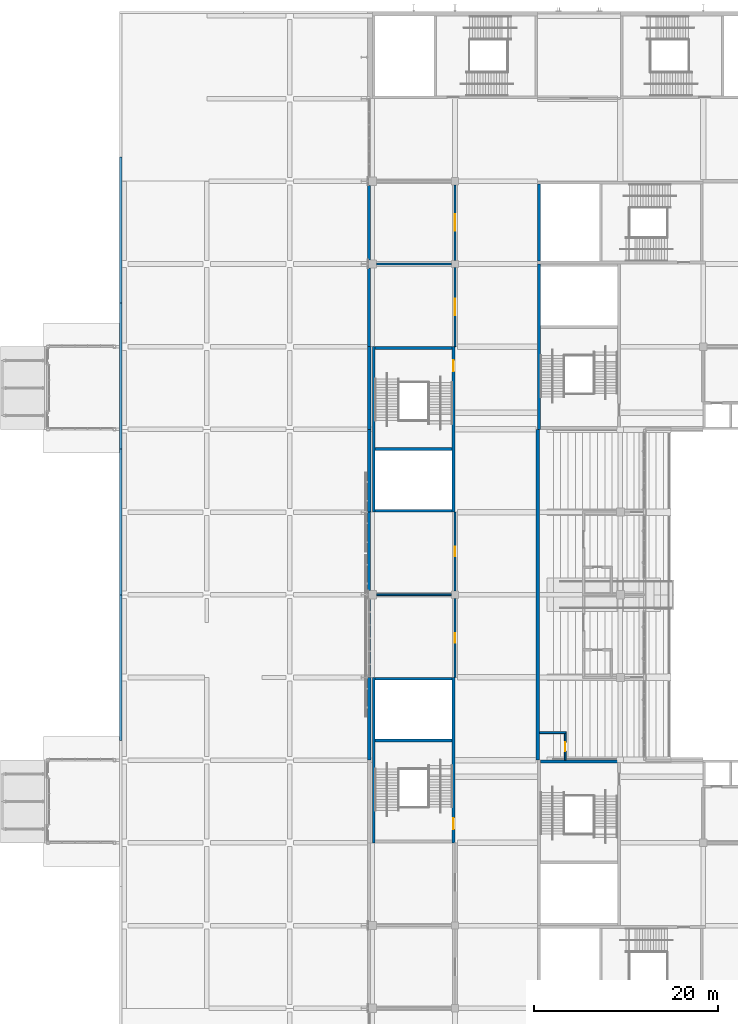
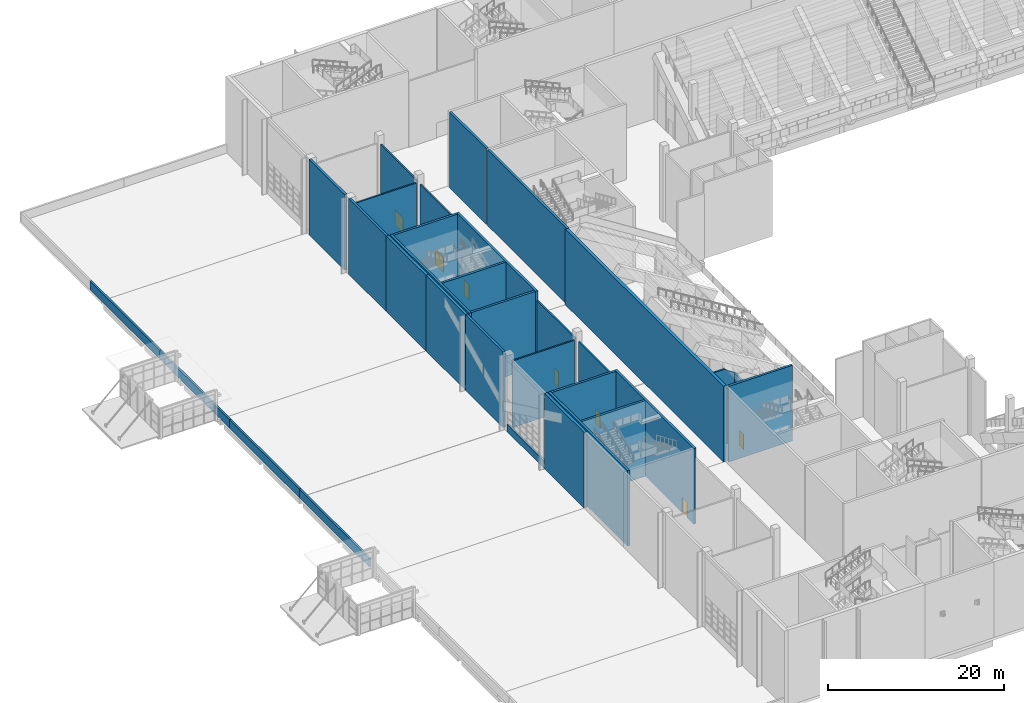
# One storey, part 83 of 182: 32 walls, 7 doors, 7 openings.
"""IFC4 building model written with IfcOpenShell, lengths in metres."""

import ifcopenshell
import ifcopenshell.guid

model = None  # the IFC model being written
_history = None  # IfcOwnerHistory: only IFC2X3 demands one
_inside = {}  # id of a spatial element -> (the spatial element, [elements in it])
_under = {}  # id of a project, library or spatial element -> (it, [spatial elements below it])
_declared = {}  # id of a project -> (the project, [libraries it declares])
_typed = {}  # id of a type object -> (the type object, [elements of that type])
_made_of = {}  # id of a material, layer set ... -> (it, [elements and type objects made of it])


def new_model(schema):
    """Start an empty IFC model of exactly this schema.

    Asked for "IFC4X3", IfcOpenShell would pick the latest addendum, in which some entities
    have other attributes; the version numbers below select the first issue.
    IFC2X3 requires an IfcOwnerHistory on every rooted entity: one is made here for all.
    """
    global model, _history
    if schema == "IFC4X3":
        model = ifcopenshell.file(schema_version=(4, 3, 0, 0))
    else:
        model = ifcopenshell.file(schema=schema)
    _inside.clear()
    _under.clear()
    _declared.clear()
    _typed.clear()
    _made_of.clear()
    _history = None
    if model.schema == "IFC2X3":
        org = make("IfcOrganization", Name="unknown")
        user = make(
            "IfcPersonAndOrganization",
            ThePerson=make("IfcPerson", FamilyName="unknown"),
            TheOrganization=org,
        )
        app = make(
            "IfcApplication",
            ApplicationDeveloper=org,
            Version="unknown",
            ApplicationFullName="unknown",
            ApplicationIdentifier="unknown",
        )
        _history = make(
            "IfcOwnerHistory",
            OwningUser=user,
            OwningApplication=app,
            ChangeAction="ADDED",
            CreationDate=0,
        )
    return model


def make(cls, **values):
    """One entity of the class cls with the attributes given. An attribute that is None is left unset."""
    return model.create_entity(
        cls, **{name: value for name, value in values.items() if value is not None}
    )


def rooted(cls, **values):
    """An entity with a GlobalId (a new one), such as an element, a storey or a relation."""
    return make(cls, GlobalId=ifcopenshell.guid.new(), OwnerHistory=_history, **values)


def si_unit(unit_type, name, prefix=None):
    """IfcSIUnit, for example si_unit("LENGTHUNIT", "METRE", prefix="MILLI")."""
    return make("IfcSIUnit", UnitType=unit_type, Prefix=prefix, Name=name)


def assignment(units):
    """IfcUnitAssignment: the units of a project."""
    return None if units is None else make("IfcUnitAssignment", Units=units)


def point(xyz):
    """IfcCartesianPoint."""
    return None if xyz is None else make("IfcCartesianPoint", Coordinates=xyz)


def direction(xyz):
    """IfcDirection."""
    return None if xyz is None else make("IfcDirection", DirectionRatios=xyz)


def frame(location, z_axis=None, x_axis=None):
    """IfcAxis2Placement3D, a coordinate frame: its origin and axes. An axis left out is left unset."""
    return make(
        "IfcAxis2Placement3D",
        Location=point(location),
        Axis=direction(z_axis),
        RefDirection=direction(x_axis),
    )


def frame_2d(location, x_axis=None):
    """IfcAxis2Placement2D, a coordinate frame in the plane: its origin and x axis."""
    return make(
        "IfcAxis2Placement2D", Location=point(location), RefDirection=direction(x_axis)
    )


def origin():
    """The frame at (0, 0, 0) with its axes left unset."""
    return frame((0.0, 0.0, 0.0))


def place(relative_to, where):
    """IfcLocalPlacement: puts the frame where relative to a parent placement (None: the world)."""
    return make(
        "IfcLocalPlacement", PlacementRelTo=relative_to, RelativePlacement=where
    )


def context(
    kind, dimensions, precision=None, world=None, true_north=None, identifier=None
):
    """IfcGeometricRepresentationContext, for example the 3D "Model" context."""
    return make(
        "IfcGeometricRepresentationContext",
        ContextIdentifier=identifier,
        ContextType=kind,
        CoordinateSpaceDimension=dimensions,
        Precision=precision,
        WorldCoordinateSystem=world,
        TrueNorth=true_north,
    )


def subcontext(parent, identifier, kind, view, scale=None):
    """IfcGeometricRepresentationSubContext, for example "Body" below "Model"."""
    return make(
        "IfcGeometricRepresentationSubContext",
        ContextIdentifier=identifier,
        ContextType=kind,
        ParentContext=parent,
        TargetScale=scale,
        TargetView=view,
    )


def project(units=None, contexts=None):
    """IfcProject with its units and contexts."""
    return rooted(
        "IfcProject",
        Name="project",
        RepresentationContexts=contexts,
        UnitsInContext=assignment(units),
    )


def spatial(cls, under=None, at=None, **own):
    """A site, building, storey or space (cls), placed at a placement, below another one or the project."""
    s = rooted(cls, ObjectPlacement=at, **own)
    if under is not None:
        _under.setdefault(under.id(), (under, []))[1].append(s)
    return s


def polyline(points):
    """IfcPolyline through the points."""
    return make("IfcPolyline", Points=[point(p) for p in points])


def profile(cls, at=None, kind="AREA", **sizes):
    """A parametric profile (cls). Its sizes go by their IFC names, for example OverallWidth=200.0."""
    return make(cls, ProfileType=kind, Position=at, **sizes)


def rectangle(**sizes):
    """IfcRectangleProfileDef."""
    return profile("IfcRectangleProfileDef", **sizes)


def outline(outer, holes=None, kind="AREA"):
    """IfcArbitraryClosedProfileDef: a profile drawn as a closed curve; with holes, ...WithVoids."""
    if holes is None:
        return make("IfcArbitraryClosedProfileDef", ProfileType=kind, OuterCurve=outer)
    return make(
        "IfcArbitraryProfileDefWithVoids",
        ProfileType=kind,
        OuterCurve=outer,
        InnerCurves=holes,
    )


def extrude(swept, where, along, depth):
    """IfcExtrudedAreaSolid: the profile swept, set in the frame where, extruded along a direction by depth."""
    return make(
        "IfcExtrudedAreaSolid",
        SweptArea=swept,
        Position=where,
        ExtrudedDirection=direction(along),
        Depth=depth,
    )


def shape(context_of_items, identifier, shape_type, items):
    """IfcShapeRepresentation: the items that make up one representation, for example the "Body"."""
    return make(
        "IfcShapeRepresentation",
        ContextOfItems=context_of_items,
        RepresentationIdentifier=identifier,
        RepresentationType=shape_type,
        Items=items,
    )


def material(Name=None, Category=None):
    """IfcMaterial."""
    return make("IfcMaterial", Name=Name, Category=Category)


def layer(
    of_material, thickness, ventilated=None, Name=None, Category=None, Priority=None
):
    """IfcMaterialLayer: one layer of a wall or slab, of a material (None: an air gap)."""
    return make(
        "IfcMaterialLayer",
        Material=of_material,
        LayerThickness=thickness,
        IsVentilated=ventilated,
        Name=Name,
        Category=Category,
        Priority=Priority,
    )


def layer_set(layers, Name=None):
    """IfcMaterialLayerSet."""
    return make("IfcMaterialLayerSet", MaterialLayers=layers, LayerSetName=Name)


def made_of(thing, what):
    """Note that an element or type object is made of a material, layer set ...; save() writes the relation."""
    if what is not None:
        _made_of.setdefault(what.id(), (what, []))[1].append(thing)
    return thing


def type_object(cls, material=None, **own):
    """A type object (cls), such as IfcWallType, which elements share."""
    return made_of(rooted(cls, **own), material)


def element(
    cls,
    number,
    at=None,
    inside=None,
    cuts=None,
    type_object=None,
    material=None,
    context=None,
    identifier="Body",
    shape_type=None,
    held_by="IfcProductDefinitionShape",
    body=None,
    shapes=None,
    **own,
):
    """One element of the class cls, such as IfcWall. Its Tag is "e" and its number.

    at: its placement. inside: the storey or other place that contains it. cuts: it is an
    opening in that element (IfcRelVoidsElement). A single representation is given by context,
    identifier, shape_type and body (its items); several are given by shapes. held_by: the class
    of the entity that holds the representations. save() writes the other relations.
    """
    e = rooted(cls, Tag="e%d" % number, ObjectPlacement=at, **own)
    if body is not None:
        shapes = [shape(context, identifier, shape_type, body)]
    if shapes is not None:
        e.Representation = make(held_by, Representations=shapes)
    if inside is not None:
        _inside.setdefault(inside.id(), (inside, []))[1].append(e)
    if cuts is not None:
        rooted(
            "IfcRelVoidsElement", RelatingBuildingElement=cuts, RelatedOpeningElement=e
        )
    if type_object is not None:
        _typed.setdefault(type_object.id(), (type_object, []))[1].append(e)
    return made_of(e, material)


def fill(opening, filler):
    """IfcRelFillsElement: the door or window that sits in an opening."""
    return rooted(
        "IfcRelFillsElement",
        RelatingOpeningElement=opening,
        RelatedBuildingElement=filler,
    )


def aggregate(whole, parts):
    """IfcRelAggregates: a whole, such as a stair, and the parts it consists of."""
    return rooted("IfcRelAggregates", RelatingObject=whole, RelatedObjects=parts)


def save(model, path):
    """Write the relations noted so far, then the file.

    IfcRelAggregates (storeys below a building ...), IfcRelContainedInSpatialStructure (elements
    in a storey), IfcRelDefinesByType, IfcRelAssociatesMaterial and IfcRelDeclares: one each for
    every whole, place, type object, material and project.
    """
    for whole, parts in _under.values():
        aggregate(whole, parts)
    for where, things in _inside.values():
        rooted(
            "IfcRelContainedInSpatialStructure",
            RelatedElements=things,
            RelatingStructure=where,
        )
    for kind, things in _typed.values():
        rooted("IfcRelDefinesByType", RelatedObjects=things, RelatingType=kind)
    for what, things in _made_of.values():
        rooted("IfcRelAssociatesMaterial", RelatedObjects=things, RelatingMaterial=what)
    for by, libraries in _declared.values():
        rooted("IfcRelDeclares", RelatingContext=by, RelatedDefinitions=libraries)
    model.write(path)


model = new_model("IFC4")

# Units and contexts
model_context = context("Model", 3, precision=1e-05, world=origin(), true_north=direction((0.0, 1.0)))
body_context = subcontext(model_context, "Body", "Model", "MODEL_VIEW")
ifc_project = project(units=[si_unit("LENGTHUNIT", "METRE"), si_unit("AREAUNIT", "SQUARE_METRE"), si_unit("VOLUMEUNIT", "CUBIC_METRE"), si_unit("PLANEANGLEUNIT", "RADIAN"), si_unit("MASSUNIT", "GRAM", prefix="KILO")], contexts=[model_context])

# Site, building, storey
site_placement = place(None, origin())
site = spatial("IfcSite", under=ifc_project, at=site_placement, CompositionType="ELEMENT")
building_placement = place(site_placement, origin())
building = spatial("IfcBuilding", under=site, at=building_placement, Name="Silverbay Arena", CompositionType="ELEMENT")
storey_placement = place(building_placement, frame((0.0, 0.0, 11.5)))
storey = spatial("IfcBuildingStorey", under=building, at=storey_placement, Name="L02", CompositionType="ELEMENT", Elevation=11.5)

# Walls
ifc_material_1 = material(Name="Concrete Grade C45 precast, light finish", Category="concrete")
ifc_layer_1 = layer(ifc_material_1, 0.300048828125)
ifc_layer_set_1 = layer_set([ifc_layer_1], Name="Concrete Grade C45 precast, light finish")
wall_type_1 = type_object("IfcWallType", Name="Cladded external wall 300", PredefinedType="SOLIDWALL", material=ifc_layer_set_1)
wall_1_placement = place(storey_placement, frame((53.64990234375, 80.550048828125, 0.0), z_axis=(0.0, 0.0, 1.0), x_axis=(0.0, -1.0, 0.0)))
element("IfcWall", 1, at=wall_1_placement, inside=storey, type_object=wall_type_1, Name="West sill wall L02 bay 7", PredefinedType="SOLIDWALL", context=body_context, shape_type="SweptSolid", body=[
    extrude(rectangle(XDim=8.550048828125, YDim=0.300048828125, at=frame_2d((4.27490234375, 0.0))), origin(), (0.0, 0.0, 1.0), 1.0),
])
for number, where, z_axis, x_axis, name in (
    (2, (53.64990234375, 90.0, 0.0), (0.0, 0.0, 1.0), (0.0, -1.0, 0.0), "West external wall L02 bay 8"),
    (3, (53.64990234375, 116.550048828125, 0.0), (0.0, 0.0, 1.0), (0.0, -1.0, 0.0), "West external wall L02 bay 11"),
):
    element("IfcWall", number, at=place(storey_placement, frame(where, z_axis=z_axis, x_axis=x_axis)), inside=storey, type_object=wall_type_1, Name=name, PredefinedType="SOLIDWALL", context=body_context, shape_type="SweptSolid", body=[
        extrude(rectangle(XDim=8.550048828125, YDim=0.300048828125, at=frame_2d((4.27490234375, 0.0))), origin(), (0.0, 0.0, 1.0), 10.5),
    ])
wall_2_placement = place(storey_placement, frame((53.64990234375, 125.550048828125, 0.0), z_axis=(0.0, 0.0, 1.0), x_axis=(0.0, -1.0, 0.0)))
element("IfcWall", 4, at=wall_2_placement, inside=storey, type_object=wall_type_1, Name="West external wall L02 bay 12", PredefinedType="SOLIDWALL", context=body_context, shape_type="SweptSolid", body=[
    extrude(rectangle(XDim=8.10009765625, YDim=0.300048828125, at=frame_2d((4.050048828125, 0.0))), origin(), (0.0, 0.0, 1.0), 10.5),
])

# Wall, opening, door
ifc_material_2 = material(Name="Concrete Grade C45", Category="concrete")
ifc_layer_2 = layer(ifc_material_2, 0.300048828125)
ifc_layer_set_2 = layer_set([ifc_layer_2], Name="Concrete Grade C45")
wall_type_2 = type_object("IfcWallType", Name="Core wall RC 300 EI 120", PredefinedType="SHEAR", material=ifc_layer_set_2)
wall_3_placement = place(storey_placement, frame((62.85009765625, 54.0, 0.0), z_axis=(0.0, 0.0, 1.0), x_axis=(0.0, 1.0, 0.0)))
wall_3 = element("IfcWall", 5, at=wall_3_placement, inside=storey, type_object=wall_type_2, Name="Core wall ST-W1 L02 door side", PredefinedType="SHEAR", context=body_context, shape_type="SweptSolid", body=[
    extrude(rectangle(XDim=18.0, YDim=0.300048828125, at=frame_2d((9.0, 0.0))), origin(), (0.0, 0.0, 1.0), 10.5),
])
opening_1_placement = place(wall_3_placement, frame((1.5, 0.0, 0.0)))
opening_1 = element("IfcOpeningElement", 6, at=opening_1_placement, cuts=wall_3, Name="Opening L02-087", PredefinedType="OPENING", context=body_context, shape_type="SweptSolid", body=[
    extrude(rectangle(XDim=1.199951171875, YDim=2.10009765625, at=frame_2d((0.60009765625, 1.050048828125))), frame((0.0, 0.16015625, 0.0), z_axis=(0.0, -1.0, 0.0), x_axis=(1.0, 0.0, 0.0)), (0.0, 0.0, 1.0), 0.320068359375),
])
ifc_material_3 = material(Name="Steel fire door", Category="steel")
door_type_1 = type_object("IfcDoorType", Name="Stair door 1200 x 2100 fire door", OperationType="SINGLE_SWING_LEFT", PredefinedType="DOOR", material=ifc_material_3)
door_1_placement = place(opening_1_placement, origin())
door_1 = element("IfcDoor", 7, at=door_1_placement, inside=storey, type_object=door_type_1, Name="Stair door ST-W1 L02", OperationType="SINGLE_SWING_LEFT", OverallHeight=2.10009765625, OverallWidth=1.199951171875, PredefinedType="DOOR", context=body_context, shape_type="SweptSolid", body=[
    extrude(rectangle(XDim=1.199951171875, YDim=2.10009765625, at=frame_2d((0.60009765625, 1.050048828125))), frame((0.0, 0.02490234375, 0.0), z_axis=(0.0, -1.0, 0.0), x_axis=(1.0, 0.0, 0.0)), (0.0, 0.0, 1.0), 0.050048828125),
])
fill(opening_1, door_1)

# Walls
wall_4_placement = place(storey_placement, frame((54.14990234375, 54.0, 0.0), z_axis=(0.0, 0.0, 1.0), x_axis=(0.0, 1.0, 0.0)))
element("IfcWall", 8, at=wall_4_placement, inside=storey, type_object=wall_type_2, Name="Core wall ST-W1 L02 far side", PredefinedType="SHEAR", context=body_context, shape_type="SweptSolid", body=[
    extrude(rectangle(XDim=18.0, YDim=0.300048828125, at=frame_2d((9.0, 0.0))), origin(), (0.0, 0.0, 1.0), 10.5),
])
for number, where, z_axis, x_axis, name in (
    (9, (62.699951171875, 71.85009765625, 0.0), (0.0, 0.0, 1.0), (-1.0, 0.0, 0.0), "Core wall ST-W1 L02 end 2"),
    (10, (62.699951171875, 65.14990234375, 0.0), (0.0, 0.0, 1.0), (-1.0, 0.0, 0.0), "Core wall ST-W1 L02 stair enclosure"),
):
    element("IfcWall", number, at=place(storey_placement, frame(where, z_axis=z_axis, x_axis=x_axis)), inside=storey, type_object=wall_type_2, Name=name, PredefinedType="SHEAR", context=body_context, shape_type="SweptSolid", body=[
        extrude(rectangle(XDim=8.39990234375, YDim=0.300048828125, at=frame_2d((4.199951171875, 0.0))), origin(), (0.0, 0.0, 1.0), 10.5),
    ])

# Wall, opening, door
wall_5_placement = place(storey_placement, frame((62.85009765625, 108.0, 0.0), z_axis=(0.0, 0.0, 1.0), x_axis=(0.0, -1.0, 0.0)))
wall_5 = element("IfcWall", 11, at=wall_5_placement, inside=storey, type_object=wall_type_2, Name="Core wall ST-W2 L02 door side", PredefinedType="SHEAR", context=body_context, shape_type="SweptSolid", body=[
    extrude(rectangle(XDim=18.0, YDim=0.300048828125, at=frame_2d((9.0, 0.0))), origin(), (0.0, 0.0, 1.0), 10.5),
])
opening_2_placement = place(wall_5_placement, frame((1.5, 0.0, 0.0)))
opening_2 = element("IfcOpeningElement", 12, at=opening_2_placement, cuts=wall_5, Name="Opening L02-088", PredefinedType="OPENING", context=body_context, shape_type="SweptSolid", body=[
    extrude(rectangle(XDim=1.199951171875, YDim=2.10009765625, at=frame_2d((0.60009765625, 1.050048828125))), frame((0.0, 0.16015625, 0.0), z_axis=(0.0, -1.0, 0.0), x_axis=(1.0, 0.0, 0.0)), (0.0, 0.0, 1.0), 0.320068359375),
])
door_2_placement = place(opening_2_placement, frame((1.199951171875, 0.0, 0.0), z_axis=(0.0, 0.0, 1.0), x_axis=(-1.0, 0.0, 0.0)))
door_2 = element("IfcDoor", 13, at=door_2_placement, inside=storey, type_object=door_type_1, Name="Stair door ST-W2 L02", OperationType="SINGLE_SWING_RIGHT", OverallHeight=2.10009765625, OverallWidth=1.199951171875, PredefinedType="DOOR", context=body_context, shape_type="SweptSolid", body=[
    extrude(rectangle(XDim=1.199951171875, YDim=2.10009765625, at=frame_2d((0.60009765625, 1.050048828125))), frame((0.0, 0.02490234375, 0.0), z_axis=(0.0, -1.0, 0.0), x_axis=(1.0, 0.0, 0.0)), (0.0, 0.0, 1.0), 0.050048828125),
])
fill(opening_2, door_2)

# Walls
wall_6_placement = place(storey_placement, frame((54.14990234375, 108.0, 0.0), z_axis=(0.0, 0.0, 1.0), x_axis=(0.0, -1.0, 0.0)))
element("IfcWall", 14, at=wall_6_placement, inside=storey, type_object=wall_type_2, Name="Core wall ST-W2 L02 far side", PredefinedType="SHEAR", context=body_context, shape_type="SweptSolid", body=[
    extrude(rectangle(XDim=18.0, YDim=0.300048828125, at=frame_2d((9.0, 0.0))), origin(), (0.0, 0.0, 1.0), 10.5),
])
for number, where, z_axis, x_axis, name in (
    (15, (62.699951171875, 107.85009765625, 0.0), (0.0, 0.0, 1.0), (-1.0, 0.0, 0.0), "Core wall ST-W2 L02 end 1"),
    (16, (62.699951171875, 90.14990234375, 0.0), (0.0, 0.0, 1.0), (-1.0, 0.0, 0.0), "Core wall ST-W2 L02 end 2"),
    (17, (62.699951171875, 96.85009765625, 0.0), (0.0, 0.0, 1.0), (-1.0, 0.0, 0.0), "Core wall ST-W2 L02 stair enclosure"),
    (18, (80.699951171875, 62.85009765625, 0.0), (0.0, 0.0, 1.0), (-1.0, 0.0, 0.0), "Core wall ST-SW2 L02 end 1"),
    (19, (72.14990234375, 117.300048828125, 0.0), (0.0, 0.0, 1.0), (0.0, 1.0, 0.0), "Core wall ST-NW1 L02 end 2"),
):
    element("IfcWall", number, at=place(storey_placement, frame(where, z_axis=z_axis, x_axis=x_axis)), inside=storey, type_object=wall_type_2, Name=name, PredefinedType="SHEAR", context=body_context, shape_type="SweptSolid", body=[
        extrude(rectangle(XDim=8.39990234375, YDim=0.300048828125, at=frame_2d((4.199951171875, 0.0))), origin(), (0.0, 0.0, 1.0), 10.5),
    ])
wall_7_placement = place(storey_placement, frame((72.14990234375, 99.0, 0.0), z_axis=(0.0, 0.0, 1.0), x_axis=(0.0, 1.0, 0.0)))
element("IfcWall", 20, at=wall_7_placement, inside=storey, type_object=wall_type_2, Name="Core wall ST-NW2 L02 far side", PredefinedType="SHEAR", context=body_context, shape_type="SweptSolid", body=[
    extrude(rectangle(XDim=18.0, YDim=0.300048828125, at=frame_2d((9.0, 0.0))), origin(), (0.0, 0.0, 1.0), 10.5),
])
ifc_material_4 = material(Name="Concrete Grade C45", Category="concrete")
ifc_layer_3 = layer(ifc_material_4, 0.25)
ifc_layer_set_3 = layer_set([ifc_layer_3], Name="Concrete Grade C45")
wall_type_3 = type_object("IfcWallType", Name="Parapet wall 250", PredefinedType="PARAPET", material=ifc_layer_set_3)
for number, where, z_axis, x_axis, name in (
    (21, (26.625, 128.625, 0.0), (0.0, 0.0, 1.0), (0.0, -1.0, 0.0), "West wing parapet 6"),
    (22, (26.625, 112.75, 0.0), (0.0, 0.0, 1.0), (0.0, -1.0, 0.0), "West wing parapet 7"),
    (23, (26.625, 96.875, 0.0), (0.0, 0.0, 1.0), (0.0, -1.0, 0.0), "West wing parapet 8"),
    (24, (26.625, 81.0, 0.0), (0.0, 0.0, 1.0), (0.0, -1.0, 0.0), "West wing parapet 9"),
):
    element("IfcWall", number, at=place(storey_placement, frame(where, z_axis=z_axis, x_axis=x_axis)), inside=storey, type_object=wall_type_3, Name=name, PredefinedType="PARAPET", context=body_context, shape_type="SweptSolid", body=[
        extrude(rectangle(XDim=15.875, YDim=0.25, at=frame_2d((7.9375, 0.0))), origin(), (0.0, 0.0, 1.0), 1.199951171875),
    ])
ifc_material_5 = material(Name="Masonry blockwork partition", Category="masonry")
ifc_layer_4 = layer(ifc_material_5, 0.199951171875)
ifc_layer_set_4 = layer_set([ifc_layer_4], Name="Masonry blockwork partition")
wall_type_4 = type_object("IfcWallType", Name="Partition 200 EI 120", PredefinedType="PARTITIONING", material=ifc_layer_set_4)
wall_8_placement = place(storey_placement, frame((54.449951171875, 81.0, 0.0), z_axis=(0.0, 0.0, 1.0), x_axis=(1.0, 0.0, 0.0)))
element("IfcWall", 25, at=wall_8_placement, inside=storey, type_object=wall_type_4, Name="Partition wall", PredefinedType="PARTITIONING", context=body_context, shape_type="SweptSolid", body=[
    extrude(rectangle(XDim=8.150146484375, YDim=0.199951171875, at=frame_2d((4.0751953125, 0.0))), origin(), (0.0, 0.0, 1.0), 9.25),
])

# Wall, opening, door
wall_9_placement = place(storey_placement, frame((63.0, 81.39990234375, 0.0), z_axis=(0.0, 0.0, 1.0), x_axis=(0.0, 1.0, 0.0)))
wall_9 = element("IfcWall", 26, at=wall_9_placement, inside=storey, type_object=wall_type_4, Name="Partition wall", PredefinedType="PARTITIONING", context=body_context, shape_type="SweptSolid", body=[
    extrude(rectangle(XDim=8.60009765625, YDim=0.199951171875, at=frame_2d((4.300048828125, 0.0))), origin(), (0.0, 0.0, 1.0), 9.14990234375),
])
opening_3_placement = place(wall_9_placement, frame((3.800048828125, 0.0, 0.0)))
opening_3 = element("IfcOpeningElement", 27, at=opening_3_placement, cuts=wall_9, Name="Opening L02-010", PredefinedType="OPENING", context=body_context, shape_type="SweptSolid", body=[
    extrude(rectangle(XDim=1.0, YDim=2.10009765625, at=frame_2d((0.5, 1.050048828125))), frame((0.0, 0.10986328125, 0.0), z_axis=(0.0, -1.0, 0.0), x_axis=(1.0, 0.0, 0.0)), (0.0, 0.0, 1.0), 0.219970703125),
])
ifc_material_6 = material(Name="Steel faced timber", Category="steel")
door_type_2 = type_object("IfcDoorType", Name="Single leaf door 1000 x 2100 FD120", OperationType="SINGLE_SWING_LEFT", PredefinedType="DOOR", material=ifc_material_6)
door_3_placement = place(opening_3_placement, origin())
door_3 = element("IfcDoor", 28, at=door_3_placement, inside=storey, type_object=door_type_2, Name="Door L02-010", OperationType="SINGLE_SWING_RIGHT", OverallHeight=2.10009765625, OverallWidth=1.0, PredefinedType="DOOR", context=body_context, shape_type="SweptSolid", body=[
    extrude(rectangle(XDim=1.0, YDim=2.10009765625, at=frame_2d((0.5, 1.050048828125))), frame((0.0, 0.02490234375, 0.0), z_axis=(0.0, -1.0, 0.0), x_axis=(1.0, 0.0, 0.0)), (0.0, 0.0, 1.0), 0.050048828125),
])
fill(opening_3, door_3)

# Walls
ifc_material_7 = material(Name="Gypsum board partition on steel studs", Category="steel")
ifc_layer_5 = layer(ifc_material_7, 0.199951171875)
ifc_layer_set_5 = layer_set([ifc_layer_5], Name="Gypsum board partition on steel studs")
wall_type_5 = type_object("IfcWallType", Name="Partition 200 EI 60", PredefinedType="PARTITIONING", material=ifc_layer_set_5)
wall_10_placement = place(storey_placement, frame((72.199951171875, 66.0, 0.0), z_axis=(0.0, 0.0, 1.0), x_axis=(1.0, 0.0, 0.0)))
element("IfcWall", 29, at=wall_10_placement, inside=storey, type_object=wall_type_5, Name="Partition wall", PredefinedType="PARTITIONING", context=body_context, shape_type="SweptSolid", body=[
    extrude(outline(polyline([(0.0, 0.0), (2.900146484375, 0.0), (2.89990234375, 9.445068359375), (1.933349609375, 10.04931640625), (1.449951171875, 10.5), (0.0, 10.5), (0.0, 0.0)])), frame((0.0, 0.10009765625, 0.0), z_axis=(0.0, -1.0, 0.0), x_axis=(1.0, 0.0, 0.0)), (0.0, 0.0, 1.0), 0.199951171875),
])
wall_11_placement = place(storey_placement, frame((54.449951171875, 117.0, 0.0), z_axis=(0.0, 0.0, 1.0), x_axis=(1.0, 0.0, 0.0)))
element("IfcWall", 30, at=wall_11_placement, inside=storey, type_object=wall_type_5, Name="Partition wall", PredefinedType="PARTITIONING", context=body_context, shape_type="SweptSolid", body=[
    extrude(rectangle(XDim=8.150146484375, YDim=0.199951171875, at=frame_2d((4.0751953125, 0.0))), origin(), (0.0, 0.0, 1.0), 9.25),
])

# Wall, opening, door
wall_12_placement = place(storey_placement, frame((63.0, 72.0, 0.0), z_axis=(0.0, 0.0, 1.0), x_axis=(0.0, 1.0, 0.0)))
wall_12 = element("IfcWall", 31, at=wall_12_placement, inside=storey, type_object=wall_type_5, Name="Partition wall", PredefinedType="PARTITIONING", context=body_context, shape_type="SweptSolid", body=[
    extrude(rectangle(XDim=8.60009765625, YDim=0.199951171875, at=frame_2d((4.300048828125, 0.0))), origin(), (0.0, 0.0, 1.0), 9.14990234375),
])
opening_4_placement = place(wall_12_placement, frame((3.800048828125, 0.0, 0.0)))
opening_4 = element("IfcOpeningElement", 32, at=opening_4_placement, cuts=wall_12, Name="Opening L02-009", PredefinedType="OPENING", context=body_context, shape_type="SweptSolid", body=[
    extrude(rectangle(XDim=1.0, YDim=2.10009765625, at=frame_2d((0.5, 1.050048828125))), frame((0.0, 0.10986328125, 0.0), z_axis=(0.0, -1.0, 0.0), x_axis=(1.0, 0.0, 0.0)), (0.0, 0.0, 1.0), 0.219970703125),
])
ifc_material_8 = material(Name="Steel faced timber", Category="steel")
door_type_3 = type_object("IfcDoorType", Name="Single leaf door 1000 x 2100 FD30S", OperationType="SINGLE_SWING_LEFT", PredefinedType="DOOR", material=ifc_material_8)
door_4_placement = place(opening_4_placement, origin())
door_4 = element("IfcDoor", 33, at=door_4_placement, inside=storey, type_object=door_type_3, Name="Door L02-009", OperationType="SINGLE_SWING_LEFT", OverallHeight=2.10009765625, OverallWidth=1.0, PredefinedType="DOOR", context=body_context, shape_type="SweptSolid", body=[
    extrude(rectangle(XDim=1.0, YDim=2.10009765625, at=frame_2d((0.5, 1.050048828125))), frame((0.0, 0.02490234375, 0.0), z_axis=(0.0, -1.0, 0.0), x_axis=(1.0, 0.0, 0.0)), (0.0, 0.0, 1.0), 0.050048828125),
])
fill(opening_4, door_4)

wall_13_placement = place(storey_placement, frame((63.0, 108.0, 0.0), z_axis=(0.0, 0.0, 1.0), x_axis=(0.0, 1.0, 0.0)))
wall_13 = element("IfcWall", 34, at=wall_13_placement, inside=storey, type_object=wall_type_5, Name="Partition wall", PredefinedType="PARTITIONING", context=body_context, shape_type="SweptSolid", body=[
    extrude(rectangle(XDim=8.60009765625, YDim=0.199951171875, at=frame_2d((4.300048828125, 0.0))), origin(), (0.0, 0.0, 1.0), 9.14990234375),
])
opening_5_placement = place(wall_13_placement, frame((3.39990234375, 0.0, 0.0)))
opening_5 = element("IfcOpeningElement", 35, at=opening_5_placement, cuts=wall_13, Name="Opening L02-011", PredefinedType="OPENING", context=body_context, shape_type="SweptSolid", body=[
    extrude(rectangle(XDim=1.800048828125, YDim=2.10009765625, at=frame_2d((0.89990234375, 1.050048828125))), frame((0.0, 0.10986328125, 0.0), z_axis=(0.0, -1.0, 0.0), x_axis=(1.0, 0.0, 0.0)), (0.0, 0.0, 1.0), 0.219970703125),
])
ifc_material_9 = material(Name="Steel faced timber", Category="steel")
door_type_4 = type_object("IfcDoorType", Name="Double leaf door 1800 x 2100 FD30S", OperationType="DOUBLE_DOOR_DOUBLE_SWING", PredefinedType="DOOR", material=ifc_material_9)
door_5_placement = place(opening_5_placement, origin())
door_5 = element("IfcDoor", 36, at=door_5_placement, inside=storey, type_object=door_type_4, Name="Door L02-011", OperationType="DOUBLE_DOOR_DOUBLE_SWING", OverallHeight=2.10009765625, OverallWidth=1.800048828125, PredefinedType="DOOR", context=body_context, shape_type="SweptSolid", body=[
    extrude(rectangle(XDim=1.800048828125, YDim=2.10009765625, at=frame_2d((0.89990234375, 1.050048828125))), frame((0.0, 0.02490234375, 0.0), z_axis=(0.0, -1.0, 0.0), x_axis=(1.0, 0.0, 0.0)), (0.0, 0.0, 1.0), 0.050048828125),
])
fill(opening_5, door_5)

wall_14_placement = place(storey_placement, frame((63.0, 117.39990234375, 0.0), z_axis=(0.0, 0.0, 1.0), x_axis=(0.0, 1.0, 0.0)))
wall_14 = element("IfcWall", 37, at=wall_14_placement, inside=storey, type_object=wall_type_5, Name="Partition wall", PredefinedType="PARTITIONING", context=body_context, shape_type="SweptSolid", body=[
    extrude(rectangle(XDim=8.2001953125, YDim=0.199951171875, at=frame_2d((4.10009765625, 0.0))), origin(), (0.0, 0.0, 1.0), 9.25),
])
opening_6_placement = place(wall_14_placement, frame((3.199951171875, 0.0, 0.0)))
opening_6 = element("IfcOpeningElement", 38, at=opening_6_placement, cuts=wall_14, Name="Opening L02-012", PredefinedType="OPENING", context=body_context, shape_type="SweptSolid", body=[
    extrude(rectangle(XDim=1.800048828125, YDim=2.10009765625, at=frame_2d((0.89990234375, 1.050048828125))), frame((0.0, 0.10986328125, 0.0), z_axis=(0.0, -1.0, 0.0), x_axis=(1.0, 0.0, 0.0)), (0.0, 0.0, 1.0), 0.219970703125),
])
door_6_placement = place(opening_6_placement, origin())
door_6 = element("IfcDoor", 39, at=door_6_placement, inside=storey, type_object=door_type_4, Name="Door L02-012", OperationType="DOUBLE_DOOR_DOUBLE_SWING", OverallHeight=2.10009765625, OverallWidth=1.800048828125, PredefinedType="DOOR", context=body_context, shape_type="SweptSolid", body=[
    extrude(rectangle(XDim=1.800048828125, YDim=2.10009765625, at=frame_2d((0.89990234375, 1.050048828125))), frame((0.0, 0.02490234375, 0.0), z_axis=(0.0, -1.0, 0.0), x_axis=(1.0, 0.0, 0.0)), (0.0, 0.0, 1.0), 0.050048828125),
])
fill(opening_6, door_6)

wall_15_placement = place(storey_placement, frame((75.0, 63.0, 0.0), z_axis=(0.0, 0.0, 1.0), x_axis=(0.0, 1.0, 0.0)))
wall_15 = element("IfcWall", 40, at=wall_15_placement, inside=storey, type_object=wall_type_5, Name="Partition wall", PredefinedType="PARTITIONING", context=body_context, shape_type="SweptSolid", body=[
    extrude(outline(polyline([(0.0, 0.0), (2.89990234375, 0.0), (2.89990234375, 9.507568359375), (0.4833984375, 9.507568359375), (0.0, 10.5), (0.0, 0.0)])), frame((0.0, 0.10009765625, 0.0), z_axis=(0.0, -1.0, 0.0), x_axis=(1.0, 0.0, 0.0)), (0.0, 0.0, 1.0), 0.199951171875),
])
opening_7_placement = place(wall_15_placement, frame((0.949951171875, 0.0, 0.0)))
opening_7 = element("IfcOpeningElement", 41, at=opening_7_placement, cuts=wall_15, Name="Opening L02-053", PredefinedType="OPENING", context=body_context, shape_type="SweptSolid", body=[
    extrude(rectangle(XDim=1.0, YDim=2.10009765625, at=frame_2d((0.5, 1.050048828125))), frame((0.0, 0.10986328125, 0.0), z_axis=(0.0, -1.0, 0.0), x_axis=(1.0, 0.0, 0.0)), (0.0, 0.0, 1.0), 0.219970703125),
])
door_7_placement = place(opening_7_placement, origin())
door_7 = element("IfcDoor", 42, at=door_7_placement, inside=storey, type_object=door_type_3, Name="Door L02-053", OperationType="SINGLE_SWING_LEFT", OverallHeight=2.10009765625, OverallWidth=1.0, PredefinedType="DOOR", context=body_context, shape_type="SweptSolid", body=[
    extrude(rectangle(XDim=1.0, YDim=2.10009765625, at=frame_2d((0.5, 1.050048828125))), frame((0.0, 0.02490234375, 0.0), z_axis=(0.0, -1.0, 0.0), x_axis=(1.0, 0.0, 0.0)), (0.0, 0.0, 1.0), 0.050048828125),
])
fill(opening_7, door_7)

# Walls
ifc_material_10 = material(Name="Concrete Grade C45", Category="concrete")
ifc_layer_6 = layer(ifc_material_10, 0.39990234375)
ifc_layer_set_6 = layer_set([ifc_layer_6], Name="Concrete Grade C45")
wall_type_6 = type_object("IfcWallType", Name="RC back wall 400 EI 120", PredefinedType="SOLIDWALL", material=ifc_layer_set_6)
wall_16_placement = place(storey_placement, frame((72.0, 99.0, 0.0), z_axis=(0.0, 0.0, 1.0), x_axis=(0.0, -1.0, 0.0)))
element("IfcWall", 43, at=wall_16_placement, inside=storey, type_object=wall_type_6, Name="Bowl back wall L02 04", PredefinedType="SOLIDWALL", context=body_context, shape_type="SweptSolid", body=[
    extrude(rectangle(XDim=36.0, YDim=0.39990234375, at=frame_2d((18.0, 0.0))), origin(), (0.0, 0.0, 1.0), 10.5),
])
ifc_material_11 = material(Name="Concrete Grade C45", Category="concrete")
ifc_layer_7 = layer(ifc_material_11, 0.35009765625)
ifc_layer_set_7 = layer_set([ifc_layer_7], Name="Concrete Grade C45")
wall_type_7 = type_object("IfcWallType", Name="Stair core facade wall 350", PredefinedType="SOLIDWALL", material=ifc_layer_set_7)
for number, where, z_axis, x_axis, name in (
    (44, (53.675048828125, 72.0, 0.0), (0.0, 0.0, 1.0), (0.0, -1.0, 0.0), "West external wall L02 bay 6"),
    (45, (53.675048828125, 99.0, 0.0), (0.0, 0.0, 1.0), (0.0, -1.0, 0.0), "West external wall L02 bay 9"),
    (46, (53.675048828125, 108.0, 0.0), (0.0, 0.0, 1.0), (0.0, -1.0, 0.0), "West external wall L02 bay 10"),
):
    element("IfcWall", number, at=place(storey_placement, frame(where, z_axis=z_axis, x_axis=x_axis)), inside=storey, type_object=wall_type_7, Name=name, PredefinedType="SOLIDWALL", context=body_context, shape_type="SweptSolid", body=[
        extrude(rectangle(XDim=9.0, YDim=0.35009765625, at=frame_2d((4.5, 0.0))), origin(), (0.0, 0.0, 1.0), 10.5),
    ])

save(model, "model.ifc")
